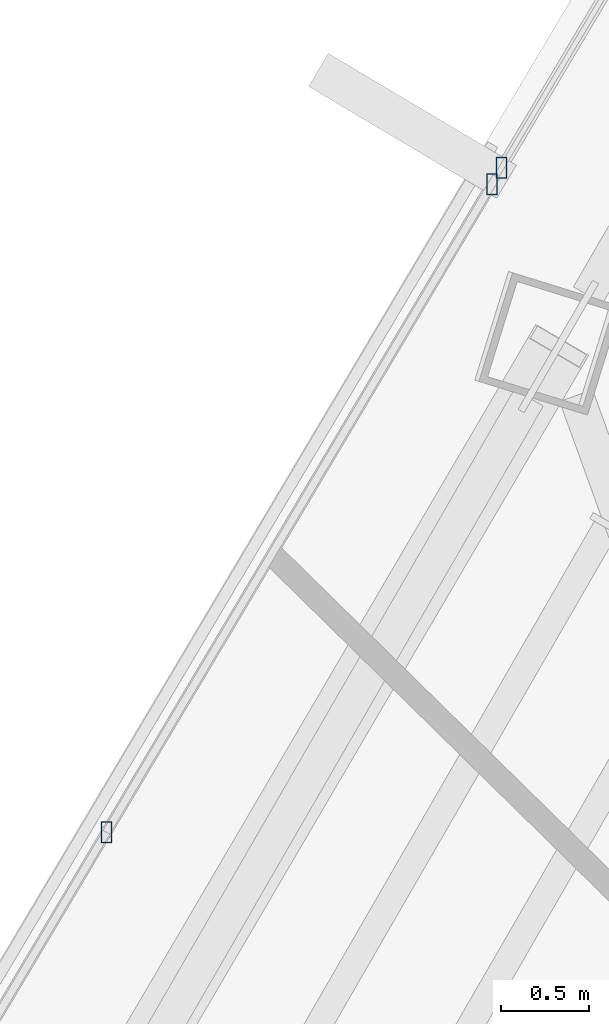
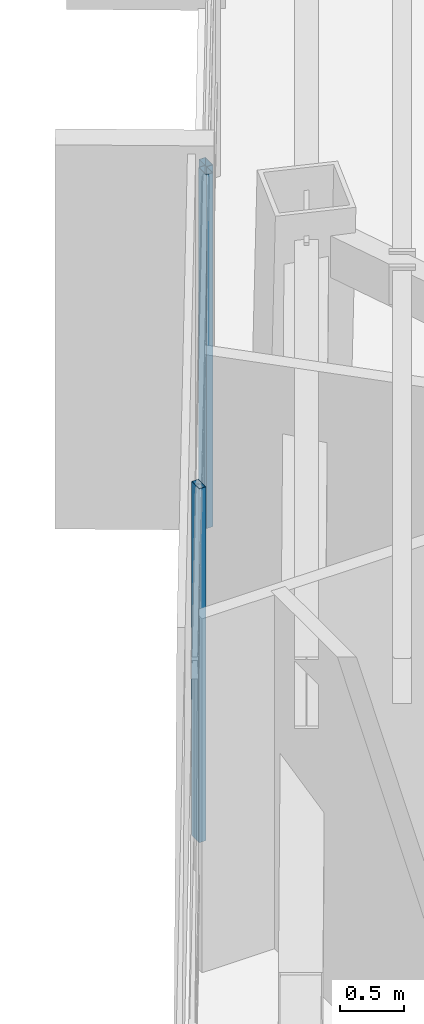
# One storey, part 19 of 47: 3 members, 2 elements without a shape of their own.
"""IFC4 building model written with IfcOpenShell, lengths in metres."""

from ifc_helpers import new_model, si_unit, direction, frame, origin, origin_2d, place, context, subcontext, project, spatial, hollow_rectangle, extrude, source, transform, mapped, material, material_profile, profile_set, type_object, type_shapes, element, aggregate, save


model = new_model("IFC4")

# Units and contexts
model_context = context("Model", 3, precision=1e-05, world=origin(), true_north=direction((0.0, 1.0)))
body_context = subcontext(model_context, "Body", "Model", "MODEL_VIEW")
ifc_project = project(units=[si_unit("LENGTHUNIT", "METRE"), si_unit("AREAUNIT", "SQUARE_METRE"), si_unit("VOLUMEUNIT", "CUBIC_METRE"), si_unit("PLANEANGLEUNIT", "RADIAN"), si_unit("MASSUNIT", "GRAM", prefix="KILO")], contexts=[model_context])

# Site, building, storey
site_placement = place(None, origin())
site = spatial("IfcSite", under=ifc_project, at=site_placement, CompositionType="ELEMENT")
building_placement = place(site_placement, origin())
building = spatial("IfcBuilding", under=site, at=building_placement, Name="Caelisora Broadcast Tower", CompositionType="ELEMENT")
storey_placement = place(building_placement, frame((0.0, 0.0, 248.10009765625)))
storey = spatial("IfcBuildingStorey", under=building, at=storey_placement, Name="L65", CompositionType="ELEMENT", Elevation=248.10009765625)

# Curtain wall, members
ifc_material_1 = material(Name="Unitised Aluminium Insulated Shadow-Box Spandrel Curtain Wall", Category="aluminium")
curtain_wall_type_1 = type_object("IfcCurtainWallType", Name="CW-SP3", PredefinedType="NOTDEFINED", material=ifc_material_1)
curtain_wall_1_placement = place(storey_placement, origin())
curtain_wall_1 = element("IfcCurtainWall", 1, at=curtain_wall_1_placement, inside=storey, type_object=curtain_wall_type_1, Name="L65 curtain wall CW-SP3", PredefinedType="NOTDEFINED")
ifc_material_2 = material(Name="Aluminium 6063-T6 Anodised Terracotta Bronze", Category="aluminium")
ifc_material_profile = material_profile(ifc_material_2, hollow_rectangle(XDim=0.06005859375, YDim=0.1201171875, WallThickness=0.0029296875, at=origin_2d()), Name="Aluminium 6063-T6 Anodised Terracotta Bronze")
ifc_profile_set = profile_set([ifc_material_profile], Name="Aluminium 6063-T6 Anodised Terracotta Bronze")
member_type = type_object("IfcMemberType", Name="CWM-04", PredefinedType="MULLION", material=ifc_profile_set)
shared_shape = source(origin(), body_context, "Body", "SweptSolid", [
    extrude(hollow_rectangle(XDim=0.06005859375, YDim=0.1201171875, WallThickness=0.0029296875, at=origin_2d()), origin(), (0.0, 0.0, 1.0), 3.39990234375),
])
type_shapes(member_type, [shared_shape])
member_1_placement = place(storey_placement, frame((25.5771484375, 33.699951171875, 0.0), z_axis=(0.0, 0.0, 1.0), x_axis=(1.0, 0.0, 0.0)))
member_1 = element("IfcMember", 2, at=member_1_placement, type_object=member_type, Name="L65-CW-B10 mullion #2", PredefinedType="MULLION", context=body_context, shape_type="MappedRepresentation", body=[
    mapped(shared_shape, transform((0.0, 0.0, 0.0), scale=1.0)),
])
member_2_placement = place(storey_placement, frame((27.77880859375, 37.40283203125, 0.0), z_axis=(0.0, 0.0, 1.0), x_axis=(1.0, 0.0, 0.0)))
member_2 = element("IfcMember", 3, at=member_2_placement, type_object=member_type, Name="L65-CW-B10 mullion #3", PredefinedType="MULLION", context=body_context, shape_type="MappedRepresentation", body=[
    mapped(shared_shape, transform((0.0, 0.0, 0.0), scale=1.0)),
])
aggregate(curtain_wall_1, [member_1, member_2])

# Curtain wall, member
ifc_material_3 = material(Name="Unitised Aluminium and Low-E Glass Curtain Wall", Category="glass")
curtain_wall_type_2 = type_object("IfcCurtainWallType", Name="CW-Z5", PredefinedType="NOTDEFINED", material=ifc_material_3)
curtain_wall_2_placement = place(storey_placement, origin())
curtain_wall_2 = element("IfcCurtainWall", 4, at=curtain_wall_2_placement, inside=storey, type_object=curtain_wall_type_2, Name="L65 curtain wall CW-Z5", PredefinedType="NOTDEFINED")
member_3_placement = place(storey_placement, frame((27.835205078125, 37.497314453125, 0.0), z_axis=(0.0, 0.0, 1.0), x_axis=(1.0, 0.0, 0.0)))
member_3 = element("IfcMember", 5, at=member_3_placement, type_object=member_type, Name="L65-CW-B11 mullion #0", PredefinedType="MULLION", context=body_context, shape_type="MappedRepresentation", body=[
    mapped(shared_shape, transform((0.0, 0.0, 0.0), scale=1.0)),
])
aggregate(curtain_wall_2, [member_3])

save(model, "model.ifc")
